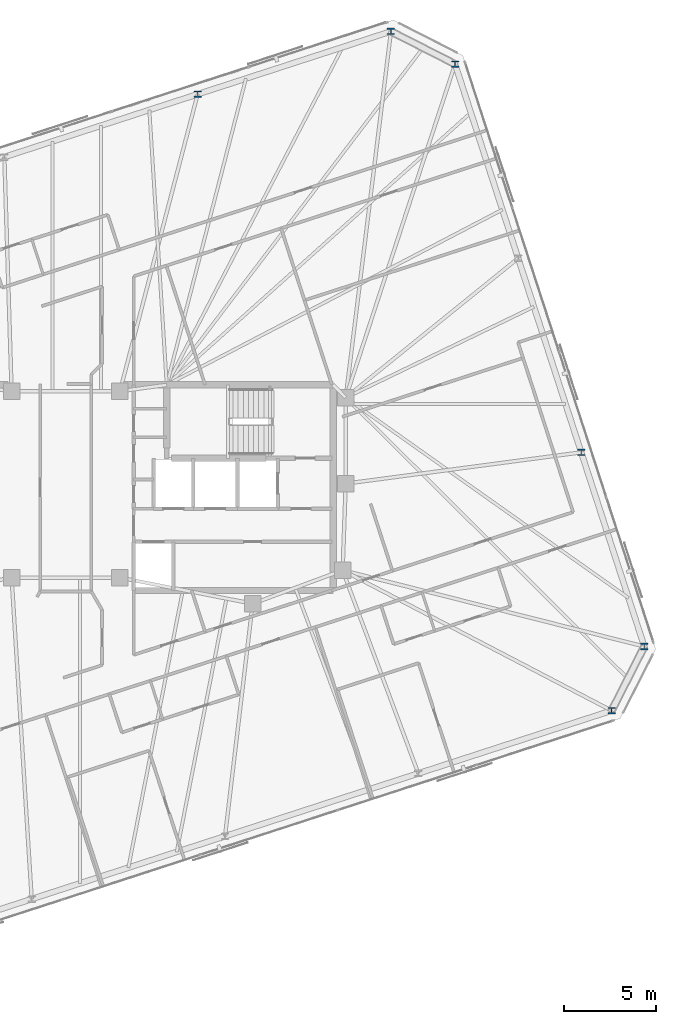
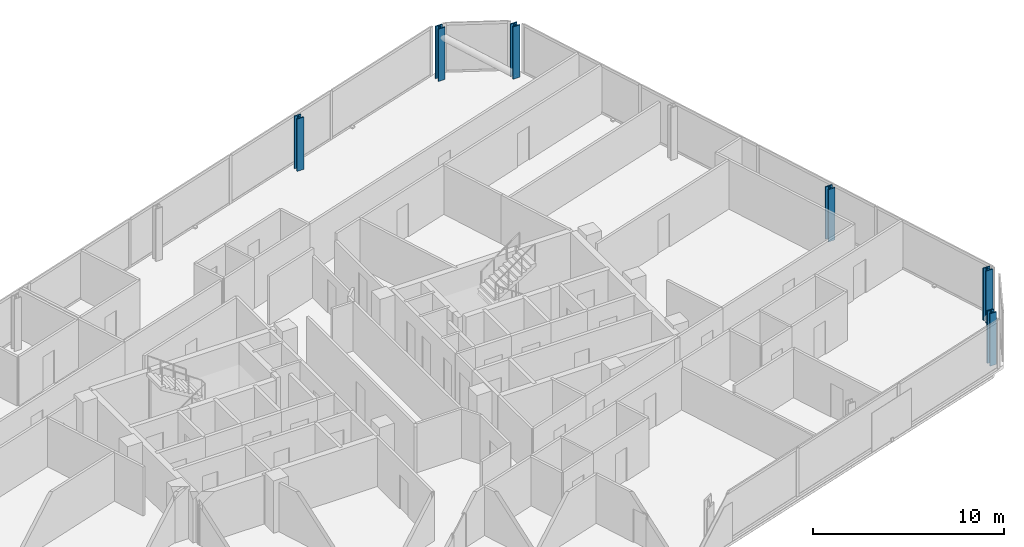
# One storey, part 4 of 19: 6 columns.
"""IFC4 building model written with IfcOpenShell, lengths in metres."""

from ifc_helpers import new_model, si_unit, direction, frame, origin, origin_2d, place, context, subcontext, project, spatial, i_section, extrude, material, material_profile, profile_set, type_object, element, save


model = new_model("IFC4")

# Units and contexts
model_context = context("Model", 3, precision=1e-05, world=origin(), true_north=direction((0.0, 1.0)))
body_context = subcontext(model_context, "Body", "Model", "MODEL_VIEW")
ifc_project = project(units=[si_unit("LENGTHUNIT", "METRE"), si_unit("AREAUNIT", "SQUARE_METRE"), si_unit("VOLUMEUNIT", "CUBIC_METRE"), si_unit("PLANEANGLEUNIT", "RADIAN"), si_unit("MASSUNIT", "GRAM", prefix="KILO")], contexts=[model_context])

# Site, building, storey
site_placement = place(None, origin())
site = spatial("IfcSite", under=ifc_project, at=site_placement, CompositionType="ELEMENT")
building_placement = place(site_placement, origin())
building = spatial("IfcBuilding", under=site, at=building_placement, Name="Menara Jurai Vektor", CompositionType="ELEMENT")
storey_placement = place(building_placement, frame((0.0, 0.0, 220.949951171875)))
storey = spatial("IfcBuildingStorey", under=building, at=storey_placement, Name="L58", CompositionType="ELEMENT", Elevation=220.949951171875)

# Columns
ifc_material = material(Name="Steel S460", Category="steel")
ifc_material_profile = material_profile(ifc_material, i_section(OverallWidth=0.405029296875, OverallDepth=0.35498046875, WebThickness=0.0419921875, FlangeThickness=0.068115234375, FilletRadius=0.014892578125, at=origin_2d()), Name="HD 400x551")
ifc_profile_set = profile_set([ifc_material_profile], Name="Steel S460")
column_type = type_object("IfcColumnType", Name="STR-EXO-BLK4", PredefinedType="COLUMN", material=ifc_profile_set)
for number, where, z_axis, x_axis, name in (
    (1, (29.733642578125, -12.14501953125, 0.0), (0.0, 0.0, 1.0), (1.0, 0.0, 0.0), "Exoskeleton Column BLK4-S6 L58"),
    (2, (31.513427734375, -8.652099609375, 0.0), (0.0, 0.0, 1.0), (1.0, 0.0, 0.0), "Exoskeleton Column BLK4-E1 L58"),
    (3, (28.07763671875, 1.92236328125, 0.0), (0.0, 0.0, 1.0), (1.0, 0.0, 0.0), "Exoskeleton Column BLK4-E2 L58"),
    (4, (21.2060546875, 23.071044921875, 0.0), (0.0, 0.0, 1.0), (1.0, 0.0, 0.0), "Exoskeleton Column BLK4-E4 L58"),
    (5, (17.712890625, 24.85107421875, 0.0), (0.0, 0.0, 1.0), (1.0, 0.0, 0.0), "Exoskeleton Column BLK4-N1 L58"),
    (6, (7.18359375, 21.4296875, 0.0), (0.0, 0.0, 1.0), (1.0, 0.0, 0.0), "Exoskeleton Column BLK4-N2 L58"),
):
    element("IfcColumn", number, at=place(storey_placement, frame(where, z_axis=z_axis, x_axis=x_axis)), inside=storey, type_object=column_type, Name=name, PredefinedType="COLUMN", context=body_context, shape_type="SweptSolid", body=[
        extrude(i_section(OverallWidth=0.405029296875, OverallDepth=0.35498046875, WebThickness=0.0419921875, FlangeThickness=0.068115234375, FilletRadius=0.014892578125, at=origin_2d()), origin(), (0.0, 0.0, 1.0), 3.35009765625),
    ])

save(model, "model.ifc")
